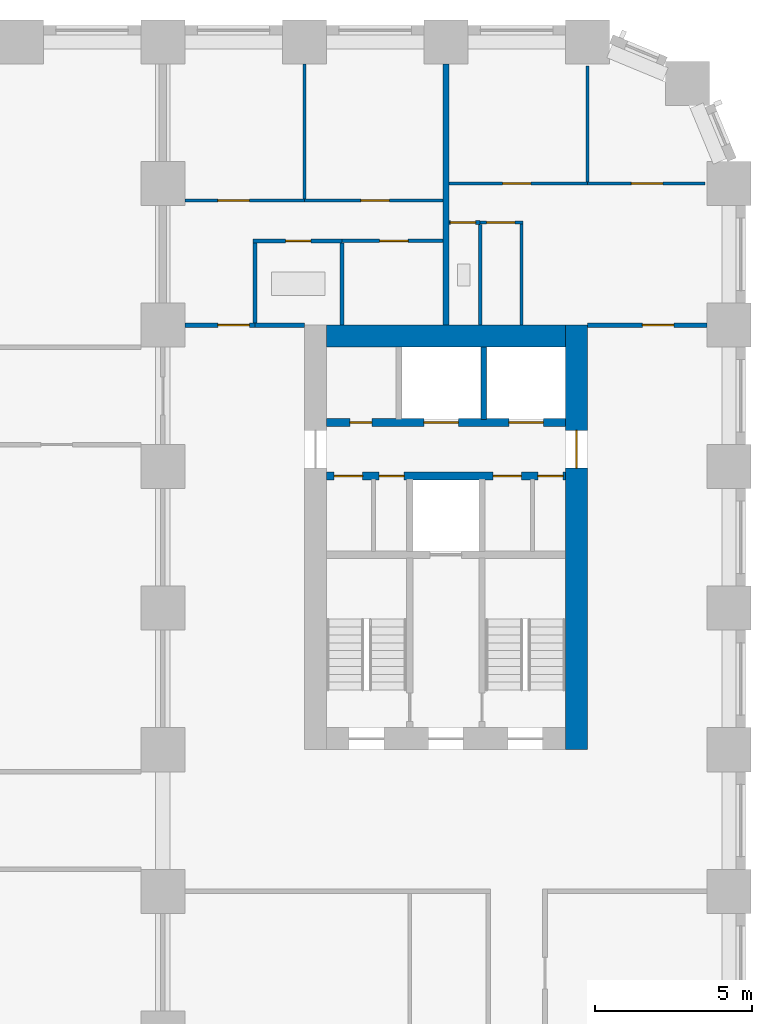
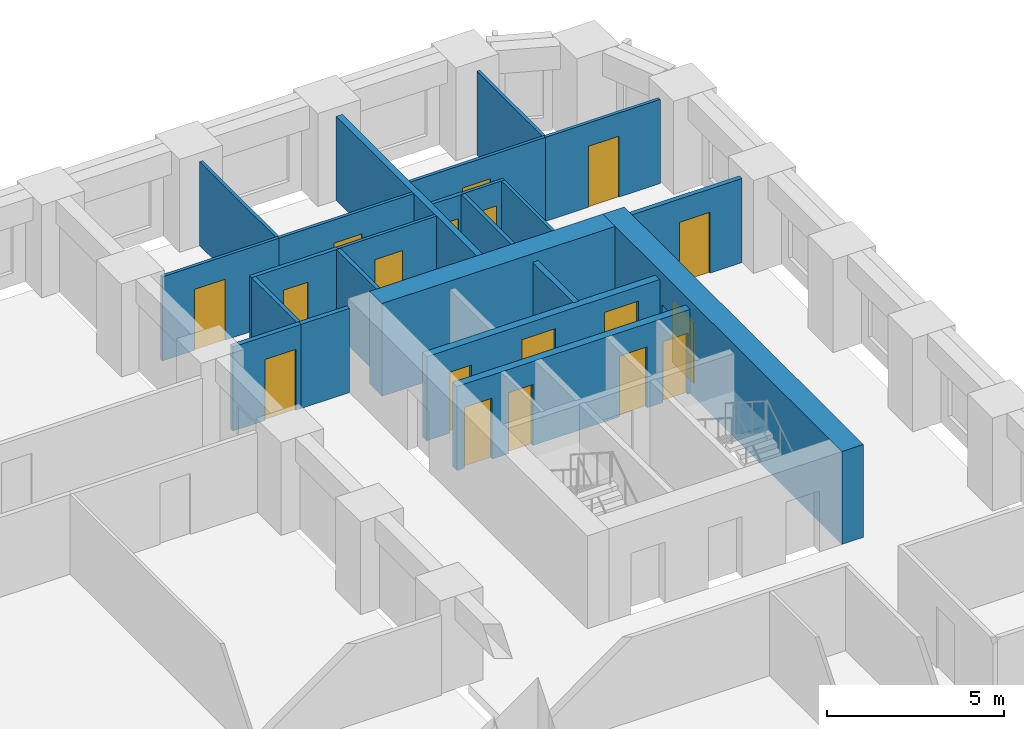
# One storey, part 8 of 12: 23 walls, 18 doors, 18 openings.
"""IFC4 building model written with IfcOpenShell, lengths in metres."""

from ifc_helpers import new_model, si_unit, direction, frame, frame_2d, origin, place, context, subcontext, project, spatial, rectangle, extrude, material, layer, layer_set, type_object, element, fill, save


model = new_model("IFC4")

# Units and contexts
model_context = context("Model", 3, precision=1e-05, world=origin(), true_north=direction((0.0, 1.0)))
body_context = subcontext(model_context, "Body", "Model", "MODEL_VIEW")
ifc_project = project(units=[si_unit("LENGTHUNIT", "METRE"), si_unit("AREAUNIT", "SQUARE_METRE"), si_unit("VOLUMEUNIT", "CUBIC_METRE"), si_unit("PLANEANGLEUNIT", "RADIAN"), si_unit("MASSUNIT", "GRAM", prefix="KILO")], contexts=[model_context])

# Site, building, storey
site_placement = place(None, origin())
site = spatial("IfcSite", under=ifc_project, at=site_placement, CompositionType="ELEMENT")
building_placement = place(site_placement, origin())
building = spatial("IfcBuilding", under=site, at=building_placement, Name="Girih Gate Residences", CompositionType="ELEMENT")
storey_placement = place(building_placement, frame((0.0, 0.0, 30.39990234375)))
storey = spatial("IfcBuildingStorey", under=building, at=storey_placement, Name="L06", CompositionType="ELEMENT", Elevation=30.39990234375)

# Wall, opening, door
ifc_material_1 = material(Name="Gypsum board on steel studs", Category="steel")
ifc_layer_1 = layer(ifc_material_1, 0.14990234375)
ifc_layer_set_1 = layer_set([ifc_layer_1], Name="Compartment wall 150 mm")
wall_type_1 = type_object("IfcWallType", Name="Compartment wall 150 mm", PredefinedType="PARTITIONING", material=ifc_layer_set_1)
wall_1_placement = place(storey_placement, frame((45.0, 40.5, 0.0), z_axis=(0.0, 0.0, 1.0), x_axis=(1.0, 0.0, 0.0)))
wall_1 = element("IfcWall", 1, at=wall_1_placement, inside=storey, type_object=wall_type_1, Name="L06 partition", PredefinedType="PARTITIONING", context=body_context, shape_type="SweptSolid", body=[
    extrude(rectangle(XDim=3.800048828125, YDim=0.14990234375, at=frame_2d((1.89990234375, 0.0))), origin(), (0.0, 0.0, 1.0), 2.900146484375),
])
opening_1_placement = place(wall_1_placement, frame((1.75, 0.0, 0.0)))
opening_1 = element("IfcOpeningElement", 2, at=opening_1_placement, cuts=wall_1, Name="Opening A06-029", PredefinedType="OPENING", context=body_context, shape_type="SweptSolid", body=[
    extrude(rectangle(XDim=1.0, YDim=2.10009765625, at=frame_2d((0.5, 1.050048828125))), frame((0.0, 0.0849609375, 0.0), z_axis=(0.0, -1.0, 0.0), x_axis=(1.0, 0.0, 0.0)), (0.0, 0.0, 1.0), 0.169921875),
])
ifc_material_2 = material(Name="Timber, fire-rated core", Category="wood")
door_type_1 = type_object("IfcDoorType", Name="Flat entrance door 1000x2100 FD30S", OperationType="NOTDEFINED", PredefinedType="DOOR", material=ifc_material_2)
door_1_placement = place(opening_1_placement, origin())
door_1 = element("IfcDoor", 3, at=door_1_placement, inside=storey, type_object=door_type_1, Name="Door A06-029", OperationType="SINGLE_SWING_RIGHT", OverallHeight=2.10009765625, OverallWidth=1.0, PredefinedType="DOOR", context=body_context, shape_type="SweptSolid", body=[
    extrude(rectangle(XDim=1.0, YDim=2.10009765625, at=frame_2d((0.5, 1.050048828125))), frame((0.0, 0.02490234375, 0.0), z_axis=(0.0, -1.0, 0.0), x_axis=(1.0, 0.0, 0.0)), (0.0, 0.0, 1.0), 0.050048828125),
])
fill(opening_1, door_1)

# Wall
wall_2_placement = place(storey_placement, frame((34.425048828125, 40.5, 0.0), z_axis=(0.0, 0.0, 1.0), x_axis=(1.0, 0.0, 0.0)))
element("IfcWall", 4, at=wall_2_placement, inside=storey, type_object=wall_type_1, Name="L06 partition", PredefinedType="PARTITIONING", context=body_context, shape_type="SweptSolid", body=[
    extrude(rectangle(XDim=1.574951171875, YDim=0.14990234375, at=frame_2d((0.78759765625, 0.0))), origin(), (0.0, 0.0, 1.0), 2.900146484375),
])

# Wall, opening, door
wall_3_placement = place(storey_placement, frame((32.199951171875, 40.5, 0.0), z_axis=(0.0, 0.0, 1.0), x_axis=(1.0, 0.0, 0.0)))
wall_3 = element("IfcWall", 5, at=wall_3_placement, inside=storey, type_object=wall_type_1, Name="L06 partition", PredefinedType="PARTITIONING", context=body_context, shape_type="SweptSolid", body=[
    extrude(rectangle(XDim=2.22509765625, YDim=0.14990234375, at=frame_2d((1.112548828125, 0.0))), origin(), (0.0, 0.0, 1.0), 2.900146484375),
])
opening_2_placement = place(wall_3_placement, frame((1.050048828125, 0.0, 0.0)))
opening_2 = element("IfcOpeningElement", 6, at=opening_2_placement, cuts=wall_3, Name="Opening A06-034", PredefinedType="OPENING", context=body_context, shape_type="SweptSolid", body=[
    extrude(rectangle(XDim=1.0, YDim=2.10009765625, at=frame_2d((0.5, 1.050048828125))), frame((0.0, 0.0849609375, 0.0), z_axis=(0.0, -1.0, 0.0), x_axis=(1.0, 0.0, 0.0)), (0.0, 0.0, 1.0), 0.169921875),
])
door_2_placement = place(opening_2_placement, origin())
door_2 = element("IfcDoor", 7, at=door_2_placement, inside=storey, type_object=door_type_1, Name="Door A06-034", OperationType="SINGLE_SWING_RIGHT", OverallHeight=2.10009765625, OverallWidth=1.0, PredefinedType="DOOR", context=body_context, shape_type="SweptSolid", body=[
    extrude(rectangle(XDim=1.0, YDim=2.10009765625, at=frame_2d((0.5, 1.050048828125))), frame((0.0, 0.02490234375, 0.0), z_axis=(0.0, -1.0, 0.0), x_axis=(1.0, 0.0, 0.0)), (0.0, 0.0, 1.0), 0.050048828125),
])
fill(opening_2, door_2)

# Wall
ifc_material_3 = material(Name="Concrete C60/75", Category="concrete")
ifc_layer_2 = layer(ifc_material_3, 0.699951171875)
ifc_layer_set_2 = layer_set([ifc_layer_2], Name="Core wall RC 700 Concrete C60/75")
wall_type_2 = type_object("IfcWallType", Name="Core wall RC 700 Concrete C60/75", PredefinedType="SOLIDWALL", material=ifc_layer_set_2)
wall_4_placement = place(storey_placement, frame((36.699951171875, 40.14990234375, 0.0), z_axis=(0.0, 0.0, 1.0), x_axis=(1.0, 0.0, 0.0)))
element("IfcWall", 8, at=wall_4_placement, inside=storey, type_object=wall_type_2, Name="Core wall E-N L06", PredefinedType="SOLIDWALL", context=body_context, shape_type="SweptSolid", body=[
    extrude(rectangle(XDim=7.60009765625, YDim=0.699951171875, at=frame_2d((3.800048828125, 0.0))), origin(), (0.0, 0.0, 1.0), 3.2001953125),
])

# Wall, opening, door
wall_5_placement = place(storey_placement, frame((44.64990234375, 27.0, 0.0), z_axis=(0.0, 0.0, 1.0), x_axis=(0.0, 1.0, 0.0)))
wall_5 = element("IfcWall", 9, at=wall_5_placement, inside=storey, type_object=wall_type_2, Name="Core wall E-E L06", PredefinedType="SOLIDWALL", context=body_context, shape_type="SweptSolid", body=[
    extrude(rectangle(XDim=13.5, YDim=0.699951171875, at=frame_2d((6.75, 0.0))), origin(), (0.0, 0.0, 1.0), 3.2001953125),
])
opening_3_placement = place(wall_5_placement, frame((8.949951171875, 0.0, 0.0)))
opening_3 = element("IfcOpeningElement", 10, at=opening_3_placement, cuts=wall_5, Name="Opening D-L06-E-015", PredefinedType="OPENING", context=body_context, shape_type="SweptSolid", body=[
    extrude(rectangle(XDim=1.199951171875, YDim=2.10009765625, at=frame_2d((0.60009765625, 1.050048828125))), frame((0.0, 0.35986328125, 0.0), z_axis=(0.0, -1.0, 0.0), x_axis=(1.0, 0.0, 0.0)), (0.0, 0.0, 1.0), 0.719970703125),
])
ifc_material_4 = material(Name="Painted steel, fire-resisting", Category="steel")
door_type_2 = type_object("IfcDoorType", Name="Fire door 1200x2100", OperationType="SINGLE_SWING_LEFT", PredefinedType="DOOR", material=ifc_material_4)
door_3_placement = place(opening_3_placement, origin())
door_3 = element("IfcDoor", 11, at=door_3_placement, inside=storey, type_object=door_type_2, Name="L06 E core door ll-e", OperationType="SINGLE_SWING_LEFT", OverallHeight=2.10009765625, OverallWidth=1.199951171875, PredefinedType="DOOR", context=body_context, shape_type="SweptSolid", body=[
    extrude(rectangle(XDim=1.199951171875, YDim=2.10009765625, at=frame_2d((0.60009765625, 1.050048828125))), frame((0.0, 0.02490234375, 0.0), z_axis=(0.0, -1.0, 0.0), x_axis=(1.0, 0.0, 0.0)), (0.0, 0.0, 1.0), 0.050048828125),
])
fill(opening_3, door_3)

# Wall, openings, doors
ifc_material_5 = material(Name="Concrete C40/50", Category="concrete")
ifc_layer_3 = layer(ifc_material_5, 0.25)
ifc_layer_set_3 = layer_set([ifc_layer_3], Name="Lift shaft wall 250")
wall_type_3 = type_object("IfcWallType", Name="Lift shaft wall 250", PredefinedType="SOLIDWALL", material=ifc_layer_set_3)
wall_6_placement = place(storey_placement, frame((36.699951171875, 35.699951171875, 0.0), z_axis=(0.0, 0.0, 1.0), x_axis=(1.0, 0.0, 0.0)))
wall_6 = element("IfcWall", 12, at=wall_6_placement, inside=storey, type_object=wall_type_3, Name="L06 E core wall H2", PredefinedType="SOLIDWALL", context=body_context, shape_type="SweptSolid", body=[
    extrude(rectangle(XDim=7.60009765625, YDim=0.25, at=frame_2d((3.800048828125, 0.0))), origin(), (0.0, 0.0, 1.0), 2.900146484375),
])
opening_4_placement = place(wall_6_placement, frame((6.72509765625, 0.0, 0.0)))
opening_4 = element("IfcOpeningElement", 13, at=opening_4_placement, cuts=wall_6, Name="Opening D-L06-E-007", PredefinedType="OPENING", context=body_context, shape_type="SweptSolid", body=[
    extrude(rectangle(XDim=0.800048828125, YDim=2.10009765625, at=frame_2d((0.39990234375, 1.050048828125))), frame((0.0, 0.135009765625, 0.0), z_axis=(0.0, -1.0, 0.0), x_axis=(1.0, 0.0, 0.0)), (0.0, 0.0, 1.0), 0.27001953125),
])
opening_5_placement = place(wall_6_placement, frame((5.300048828125, 0.0, 0.0)))
opening_5 = element("IfcOpeningElement", 14, at=opening_5_placement, cuts=wall_6, Name="Opening D-L06-E-008", PredefinedType="OPENING", context=body_context, shape_type="SweptSolid", body=[
    extrude(rectangle(XDim=0.89990234375, YDim=2.10009765625, at=frame_2d((0.449951171875, 1.050048828125))), frame((0.0, 0.135009765625, 0.0), z_axis=(0.0, -1.0, 0.0), x_axis=(1.0, 0.0, 0.0)), (0.0, 0.0, 1.0), 0.27001953125),
])
opening_6_placement = place(wall_6_placement, frame((1.675048828125, 0.0, 0.0)))
opening_6 = element("IfcOpeningElement", 15, at=opening_6_placement, cuts=wall_6, Name="Opening D-L06-E-009", PredefinedType="OPENING", context=body_context, shape_type="SweptSolid", body=[
    extrude(rectangle(XDim=0.800048828125, YDim=2.10009765625, at=frame_2d((0.39990234375, 1.050048828125))), frame((0.0, 0.135009765625, 0.0), z_axis=(0.0, -1.0, 0.0), x_axis=(1.0, 0.0, 0.0)), (0.0, 0.0, 1.0), 0.27001953125),
])
opening_7_placement = place(wall_6_placement, frame((0.25, 0.0, 0.0)))
opening_7 = element("IfcOpeningElement", 16, at=opening_7_placement, cuts=wall_6, Name="Opening D-L06-E-010", PredefinedType="OPENING", context=body_context, shape_type="SweptSolid", body=[
    extrude(rectangle(XDim=0.89990234375, YDim=2.10009765625, at=frame_2d((0.449951171875, 1.050048828125))), frame((0.0, 0.135009765625, 0.0), z_axis=(0.0, -1.0, 0.0), x_axis=(1.0, 0.0, 0.0)), (0.0, 0.0, 1.0), 0.27001953125),
])
door_type_3 = type_object("IfcDoorType", Name="Fire door 800x2100", OperationType="SINGLE_SWING_LEFT", PredefinedType="DOOR", material=ifc_material_4)
door_4_placement = place(opening_4_placement, origin())
door_4 = element("IfcDoor", 17, at=door_4_placement, inside=storey, type_object=door_type_3, Name="L06 E housekeeping store door", OperationType="SINGLE_SWING_LEFT", OverallHeight=2.10009765625, OverallWidth=0.800048828125, PredefinedType="DOOR", context=body_context, shape_type="SweptSolid", body=[
    extrude(rectangle(XDim=0.800048828125, YDim=2.10009765625, at=frame_2d((0.39990234375, 1.050048828125))), frame((0.0, 0.02490234375, 0.0), z_axis=(0.0, -1.0, 0.0), x_axis=(1.0, 0.0, 0.0)), (0.0, 0.0, 1.0), 0.050048828125),
])
fill(opening_4, door_4)
door_5_placement = place(opening_6_placement, origin())
door_5 = element("IfcDoor", 18, at=door_5_placement, inside=storey, type_object=door_type_3, Name="L06 E it room door", OperationType="SINGLE_SWING_LEFT", OverallHeight=2.10009765625, OverallWidth=0.800048828125, PredefinedType="DOOR", context=body_context, shape_type="SweptSolid", body=[
    extrude(rectangle(XDim=0.800048828125, YDim=2.10009765625, at=frame_2d((0.39990234375, 1.050048828125))), frame((0.0, 0.02490234375, 0.0), z_axis=(0.0, -1.0, 0.0), x_axis=(1.0, 0.0, 0.0)), (0.0, 0.0, 1.0), 0.050048828125),
])
fill(opening_6, door_5)
door_type_4 = type_object("IfcDoorType", Name="Fire door 900x2100", OperationType="SINGLE_SWING_LEFT", PredefinedType="DOOR", material=ifc_material_4)
door_6_placement = place(opening_5_placement, origin())
door_6 = element("IfcDoor", 19, at=door_6_placement, inside=storey, type_object=door_type_4, Name="L06 E refuse store door", OperationType="SINGLE_SWING_LEFT", OverallHeight=2.10009765625, OverallWidth=0.89990234375, PredefinedType="DOOR", context=body_context, shape_type="SweptSolid", body=[
    extrude(rectangle(XDim=0.89990234375, YDim=2.10009765625, at=frame_2d((0.449951171875, 1.050048828125))), frame((0.0, 0.02490234375, 0.0), z_axis=(0.0, -1.0, 0.0), x_axis=(1.0, 0.0, 0.0)), (0.0, 0.0, 1.0), 0.050048828125),
])
fill(opening_5, door_6)
door_7_placement = place(opening_7_placement, origin())
door_7 = element("IfcDoor", 20, at=door_7_placement, inside=storey, type_object=door_type_4, Name="L06 E maintenance store door", OperationType="SINGLE_SWING_LEFT", OverallHeight=2.10009765625, OverallWidth=0.89990234375, PredefinedType="DOOR", context=body_context, shape_type="SweptSolid", body=[
    extrude(rectangle(XDim=0.89990234375, YDim=2.10009765625, at=frame_2d((0.449951171875, 1.050048828125))), frame((0.0, 0.02490234375, 0.0), z_axis=(0.0, -1.0, 0.0), x_axis=(1.0, 0.0, 0.0)), (0.0, 0.0, 1.0), 0.050048828125),
])
fill(opening_7, door_7)

wall_7_placement = place(storey_placement, frame((36.699951171875, 37.39990234375, 0.0), z_axis=(0.0, 0.0, 1.0), x_axis=(1.0, 0.0, 0.0)))
wall_7 = element("IfcWall", 21, at=wall_7_placement, inside=storey, type_object=wall_type_3, Name="L06 E core wall H3", PredefinedType="SOLIDWALL", context=body_context, shape_type="SweptSolid", body=[
    extrude(rectangle(XDim=7.60009765625, YDim=0.25, at=frame_2d((3.800048828125, 0.0))), origin(), (0.0, 0.0, 1.0), 2.900146484375),
])
opening_8_placement = place(wall_7_placement, frame((5.800048828125, 0.0, 0.0)))
opening_8 = element("IfcOpeningElement", 22, at=opening_8_placement, cuts=wall_7, Name="Opening D-L06-E-003", PredefinedType="OPENING", context=body_context, shape_type="SweptSolid", body=[
    extrude(rectangle(XDim=1.10009765625, YDim=2.39990234375, at=frame_2d((0.550048828125, 1.199951171875))), frame((0.0, 0.135009765625, 0.0), z_axis=(0.0, -1.0, 0.0), x_axis=(1.0, 0.0, 0.0)), (0.0, 0.0, 1.0), 0.27001953125),
])
opening_9_placement = place(wall_7_placement, frame((3.10009765625, 0.0, 0.0)))
opening_9 = element("IfcOpeningElement", 23, at=opening_9_placement, cuts=wall_7, Name="Opening D-L06-E-004", PredefinedType="OPENING", context=body_context, shape_type="SweptSolid", body=[
    extrude(rectangle(XDim=1.10009765625, YDim=2.39990234375, at=frame_2d((0.550048828125, 1.199951171875))), frame((0.0, 0.135009765625, 0.0), z_axis=(0.0, -1.0, 0.0), x_axis=(1.0, 0.0, 0.0)), (0.0, 0.0, 1.0), 0.27001953125),
])
opening_10_placement = place(wall_7_placement, frame((0.75, 0.0, 0.0)))
opening_10 = element("IfcOpeningElement", 24, at=opening_10_placement, cuts=wall_7, Name="Opening D-L06-E-006", PredefinedType="OPENING", context=body_context, shape_type="SweptSolid", body=[
    extrude(rectangle(XDim=0.699951171875, YDim=2.10009765625, at=frame_2d((0.35009765625, 1.050048828125))), frame((0.0, 0.135009765625, 0.0), z_axis=(0.0, -1.0, 0.0), x_axis=(1.0, 0.0, 0.0)), (0.0, 0.0, 1.0), 0.27001953125),
])
ifc_material_6 = material(Name="Stainless steel", Category="steel")
door_type_5 = type_object("IfcDoorType", Name="Lift landing door 1100x2400", OperationType="SLIDING_TO_LEFT", PredefinedType="DOOR", material=ifc_material_6)
door_8_placement = place(opening_8_placement, origin())
door_8 = element("IfcDoor", 25, at=door_8_placement, inside=storey, type_object=door_type_5, Name="L06 lift LR-E1 landing door", OperationType="SLIDING_TO_LEFT", OverallHeight=2.39990234375, OverallWidth=1.10009765625, PredefinedType="DOOR", context=body_context, shape_type="SweptSolid", body=[
    extrude(rectangle(XDim=1.10009765625, YDim=2.39990234375, at=frame_2d((0.550048828125, 1.199951171875))), frame((0.0, 0.02490234375, 0.0), z_axis=(0.0, -1.0, 0.0), x_axis=(1.0, 0.0, 0.0)), (0.0, 0.0, 1.0), 0.050048828125),
])
fill(opening_8, door_8)
door_9_placement = place(opening_9_placement, origin())
door_9 = element("IfcDoor", 26, at=door_9_placement, inside=storey, type_object=door_type_5, Name="L06 lift LR-E2 landing door", OperationType="SLIDING_TO_LEFT", OverallHeight=2.39990234375, OverallWidth=1.10009765625, PredefinedType="DOOR", context=body_context, shape_type="SweptSolid", body=[
    extrude(rectangle(XDim=1.10009765625, YDim=2.39990234375, at=frame_2d((0.550048828125, 1.199951171875))), frame((0.0, 0.02490234375, 0.0), z_axis=(0.0, -1.0, 0.0), x_axis=(1.0, 0.0, 0.0)), (0.0, 0.0, 1.0), 0.050048828125),
])
fill(opening_9, door_9)
door_type_6 = type_object("IfcDoorType", Name="Riser access door 700x2100", OperationType="SINGLE_SWING_LEFT", PredefinedType="DOOR", material=ifc_material_4)
door_10_placement = place(opening_10_placement, origin())
door_10 = element("IfcDoor", 27, at=door_10_placement, inside=storey, type_object=door_type_6, Name="L06 E riser room door", OperationType="SINGLE_SWING_LEFT", OverallHeight=2.10009765625, OverallWidth=0.699951171875, PredefinedType="DOOR", context=body_context, shape_type="SweptSolid", body=[
    extrude(rectangle(XDim=0.699951171875, YDim=2.10009765625, at=frame_2d((0.35009765625, 1.050048828125))), frame((0.0, 0.02490234375, 0.0), z_axis=(0.0, -1.0, 0.0), x_axis=(1.0, 0.0, 0.0)), (0.0, 0.0, 1.0), 0.050048828125),
])
fill(opening_10, door_10)

# Wall, opening, door
ifc_layer_4 = layer(ifc_material_1, 0.10009765625)
ifc_layer_set_4 = layer_set([ifc_layer_4], Name="Partition 100 mm")
wall_type_4 = type_object("IfcWallType", Name="Partition 100 mm", PredefinedType="PARTITIONING", material=ifc_layer_set_4)
wall_8_placement = place(storey_placement, frame((40.60009765625, 45.0, 0.0), z_axis=(0.0, 0.0, 1.0), x_axis=(1.0, 0.0, 0.0)))
wall_8 = element("IfcWall", 28, at=wall_8_placement, inside=storey, type_object=wall_type_4, Name="L06 partition", PredefinedType="PARTITIONING", context=body_context, shape_type="SweptSolid", body=[
    extrude(rectangle(XDim=4.39990234375, YDim=0.10009765625, at=frame_2d((2.199951171875, 0.0))), origin(), (0.0, 0.0, 1.0), 2.900146484375),
])
opening_11_placement = place(wall_8_placement, frame((1.699951171875, 0.0, 0.0)))
opening_11 = element("IfcOpeningElement", 29, at=opening_11_placement, cuts=wall_8, Name="Opening A06-026", PredefinedType="OPENING", context=body_context, shape_type="SweptSolid", body=[
    extrude(rectangle(XDim=0.89990234375, YDim=2.10009765625, at=frame_2d((0.449951171875, 1.050048828125))), frame((0.0, 0.06005859375, 0.0), z_axis=(0.0, -1.0, 0.0), x_axis=(1.0, 0.0, 0.0)), (0.0, 0.0, 1.0), 0.1201171875),
])
ifc_material_7 = material(Name="Timber", Category="wood")
door_type_7 = type_object("IfcDoorType", Name="Bedroom door 900x2100", OperationType="NOTDEFINED", PredefinedType="DOOR", material=ifc_material_7)
door_11_placement = place(opening_11_placement, origin())
door_11 = element("IfcDoor", 30, at=door_11_placement, inside=storey, type_object=door_type_7, Name="Door A06-026", OperationType="SINGLE_SWING_LEFT", OverallHeight=2.10009765625, OverallWidth=0.89990234375, PredefinedType="DOOR", context=body_context, shape_type="SweptSolid", body=[
    extrude(rectangle(XDim=0.89990234375, YDim=2.10009765625, at=frame_2d((0.449951171875, 1.050048828125))), frame((0.0, 0.02490234375, 0.0), z_axis=(0.0, -1.0, 0.0), x_axis=(1.0, 0.0, 0.0)), (0.0, 0.0, 1.0), 0.050048828125),
])
fill(opening_11, door_11)

# Walls
wall_9_placement = place(storey_placement, frame((45.0, 45.050048828125, 0.0), z_axis=(0.0, 0.0, 1.0), x_axis=(0.0, 1.0, 0.0)))
element("IfcWall", 31, at=wall_9_placement, inside=storey, type_object=wall_type_4, Name="L06 partition", PredefinedType="PARTITIONING", context=body_context, shape_type="SweptSolid", body=[
    extrude(rectangle(XDim=3.6923828125, YDim=0.10009765625, at=frame_2d((1.84619140625, 0.0))), origin(), (0.0, 0.0, 1.0), 2.900146484375),
])
wall_10_placement = place(storey_placement, frame((42.89990234375, 40.5, 0.0), z_axis=(0.0, 0.0, 1.0), x_axis=(0.0, 1.0, 0.0)))
element("IfcWall", 32, at=wall_10_placement, inside=storey, type_object=wall_type_4, Name="L06 partition", PredefinedType="PARTITIONING", context=body_context, shape_type="SweptSolid", body=[
    extrude(rectangle(XDim=3.2099609375, YDim=0.10009765625, at=frame_2d((1.60498046875, 0.0))), origin(), (0.0, 0.0, 1.0), 2.900146484375),
])

# Wall, opening, door
wall_11_placement = place(storey_placement, frame((42.949951171875, 43.760009765625, 0.0), z_axis=(0.0, 0.0, 1.0), x_axis=(-1.0, 0.0, 0.0)))
wall_11 = element("IfcWall", 33, at=wall_11_placement, inside=storey, type_object=wall_type_4, Name="L06 partition", PredefinedType="PARTITIONING", context=body_context, shape_type="SweptSolid", body=[
    extrude(rectangle(XDim=1.359130859375, YDim=0.10009765625, at=frame_2d((0.6796875, 0.0))), origin(), (0.0, 0.0, 1.0), 2.900146484375),
])
opening_12_placement = place(wall_11_placement, frame((0.25439453125, 0.0, 0.0)))
opening_12 = element("IfcOpeningElement", 34, at=opening_12_placement, cuts=wall_11, Name="Opening A06-027", PredefinedType="OPENING", context=body_context, shape_type="SweptSolid", body=[
    extrude(rectangle(XDim=0.89990234375, YDim=2.10009765625, at=frame_2d((0.449951171875, 1.050048828125))), frame((0.0, 0.06005859375, 0.0), z_axis=(0.0, -1.0, 0.0), x_axis=(1.0, 0.0, 0.0)), (0.0, 0.0, 1.0), 0.1201171875),
])
door_type_8 = type_object("IfcDoorType", Name="Kitchen door 900x2100", OperationType="NOTDEFINED", PredefinedType="DOOR", material=ifc_material_7)
door_12_placement = place(opening_12_placement, origin())
door_12 = element("IfcDoor", 35, at=door_12_placement, inside=storey, type_object=door_type_8, Name="Door A06-027", OperationType="SINGLE_SWING_RIGHT", OverallHeight=2.10009765625, OverallWidth=0.89990234375, PredefinedType="DOOR", context=body_context, shape_type="SweptSolid", body=[
    extrude(rectangle(XDim=0.89990234375, YDim=2.10009765625, at=frame_2d((0.449951171875, 1.050048828125))), frame((0.0, 0.02490234375, 0.0), z_axis=(0.0, -1.0, 0.0), x_axis=(1.0, 0.0, 0.0)), (0.0, 0.0, 1.0), 0.050048828125),
])
fill(opening_12, door_12)

wall_12_placement = place(storey_placement, frame((45.0, 45.0, 0.0), z_axis=(0.0, 0.0, 1.0), x_axis=(1.0, 0.0, 0.0)))
wall_12 = element("IfcWall", 36, at=wall_12_placement, inside=storey, type_object=wall_type_4, Name="L06 partition", PredefinedType="PARTITIONING", context=body_context, shape_type="SweptSolid", body=[
    extrude(rectangle(XDim=3.742431640625, YDim=0.10009765625, at=frame_2d((1.87109375, 0.0))), origin(), (0.0, 0.0, 1.0), 2.900146484375),
])
opening_13_placement = place(wall_12_placement, frame((1.39990234375, 0.0, 0.0)))
opening_13 = element("IfcOpeningElement", 37, at=opening_13_placement, cuts=wall_12, Name="Opening A06-028", PredefinedType="OPENING", context=body_context, shape_type="SweptSolid", body=[
    extrude(rectangle(XDim=1.0, YDim=2.10009765625, at=frame_2d((0.5, 1.050048828125))), frame((0.0, 0.06005859375, 0.0), z_axis=(0.0, -1.0, 0.0), x_axis=(1.0, 0.0, 0.0)), (0.0, 0.0, 1.0), 0.1201171875),
])
door_type_9 = type_object("IfcDoorType", Name="Living room door 1000x2100", OperationType="NOTDEFINED", PredefinedType="DOOR", material=ifc_material_7)
door_13_placement = place(opening_13_placement, origin())
door_13 = element("IfcDoor", 38, at=door_13_placement, inside=storey, type_object=door_type_9, Name="Door A06-028", OperationType="SINGLE_SWING_RIGHT", OverallHeight=2.10009765625, OverallWidth=1.0, PredefinedType="DOOR", context=body_context, shape_type="SweptSolid", body=[
    extrude(rectangle(XDim=1.0, YDim=2.10009765625, at=frame_2d((0.5, 1.050048828125))), frame((0.0, 0.02490234375, 0.0), z_axis=(0.0, -1.0, 0.0), x_axis=(1.0, 0.0, 0.0)), (0.0, 0.0, 1.0), 0.050048828125),
])
fill(opening_13, door_13)

wall_13_placement = place(storey_placement, frame((36.0, 44.4599609375, 0.0), z_axis=(0.0, 0.0, 1.0), x_axis=(1.0, 0.0, 0.0)))
wall_13 = element("IfcWall", 39, at=wall_13_placement, inside=storey, type_object=wall_type_4, Name="L06 partition", PredefinedType="PARTITIONING", context=body_context, shape_type="SweptSolid", body=[
    extrude(rectangle(XDim=4.39990234375, YDim=0.10009765625, at=frame_2d((2.199951171875, 0.0))), origin(), (0.0, 0.0, 1.0), 2.900146484375),
])
opening_14_placement = place(wall_13_placement, frame((1.800048828125, 0.0, 0.0)))
opening_14 = element("IfcOpeningElement", 40, at=opening_14_placement, cuts=wall_13, Name="Opening A06-031", PredefinedType="OPENING", context=body_context, shape_type="SweptSolid", body=[
    extrude(rectangle(XDim=0.89990234375, YDim=2.10009765625, at=frame_2d((0.449951171875, 1.050048828125))), frame((0.0, 0.06005859375, 0.0), z_axis=(0.0, -1.0, 0.0), x_axis=(1.0, 0.0, 0.0)), (0.0, 0.0, 1.0), 0.1201171875),
])
door_14_placement = place(opening_14_placement, origin())
door_14 = element("IfcDoor", 41, at=door_14_placement, inside=storey, type_object=door_type_7, Name="Door A06-031", OperationType="SINGLE_SWING_RIGHT", OverallHeight=2.10009765625, OverallWidth=0.89990234375, PredefinedType="DOOR", context=body_context, shape_type="SweptSolid", body=[
    extrude(rectangle(XDim=0.89990234375, YDim=2.10009765625, at=frame_2d((0.449951171875, 1.050048828125))), frame((0.0, 0.02490234375, 0.0), z_axis=(0.0, -1.0, 0.0), x_axis=(1.0, 0.0, 0.0)), (0.0, 0.0, 1.0), 0.050048828125),
])
fill(opening_14, door_14)

# Wall
wall_14_placement = place(storey_placement, frame((36.0, 44.510009765625, 0.0), z_axis=(0.0, 0.0, 1.0), x_axis=(0.0, 1.0, 0.0)))
element("IfcWall", 42, at=wall_14_placement, inside=storey, type_object=wall_type_4, Name="L06 partition", PredefinedType="PARTITIONING", context=body_context, shape_type="SweptSolid", body=[
    extrude(rectangle(XDim=4.2900390625, YDim=0.10009765625, at=frame_2d((2.14501953125, 0.0))), origin(), (0.0, 0.0, 1.0), 2.900146484375),
])

# Wall, opening, door
wall_15_placement = place(storey_placement, frame((40.39990234375, 43.179931640625, 0.0), z_axis=(0.0, 0.0, 1.0), x_axis=(-1.0, 0.0, 0.0)))
wall_15 = element("IfcWall", 43, at=wall_15_placement, inside=storey, type_object=wall_type_4, Name="L06 partition", PredefinedType="PARTITIONING", context=body_context, shape_type="SweptSolid", body=[
    extrude(rectangle(XDim=3.20947265625, YDim=0.10009765625, at=frame_2d((1.604736328125, 0.0))), origin(), (0.0, 0.0, 1.0), 2.900146484375),
])
opening_15_placement = place(wall_15_placement, frame((1.104736328125, 0.0, 0.0)))
opening_15 = element("IfcOpeningElement", 44, at=opening_15_placement, cuts=wall_15, Name="Opening A06-032", PredefinedType="OPENING", context=body_context, shape_type="SweptSolid", body=[
    extrude(rectangle(XDim=0.89990234375, YDim=2.10009765625, at=frame_2d((0.449951171875, 1.050048828125))), frame((0.0, 0.06005859375, 0.0), z_axis=(0.0, -1.0, 0.0), x_axis=(1.0, 0.0, 0.0)), (0.0, 0.0, 1.0), 0.1201171875),
])
door_15_placement = place(opening_15_placement, origin())
door_15 = element("IfcDoor", 45, at=door_15_placement, inside=storey, type_object=door_type_8, Name="Door A06-032", OperationType="SINGLE_SWING_LEFT", OverallHeight=2.10009765625, OverallWidth=0.89990234375, PredefinedType="DOOR", context=body_context, shape_type="SweptSolid", body=[
    extrude(rectangle(XDim=0.89990234375, YDim=2.10009765625, at=frame_2d((0.449951171875, 1.050048828125))), frame((0.0, 0.02490234375, 0.0), z_axis=(0.0, -1.0, 0.0), x_axis=(1.0, 0.0, 0.0)), (0.0, 0.0, 1.0), 0.050048828125),
])
fill(opening_15, door_15)

wall_16_placement = place(storey_placement, frame((32.199951171875, 44.4599609375, 0.0), z_axis=(0.0, 0.0, 1.0), x_axis=(1.0, 0.0, 0.0)))
wall_16 = element("IfcWall", 46, at=wall_16_placement, inside=storey, type_object=wall_type_4, Name="L06 partition", PredefinedType="PARTITIONING", context=body_context, shape_type="SweptSolid", body=[
    extrude(rectangle(XDim=3.800048828125, YDim=0.10009765625, at=frame_2d((1.89990234375, 0.0))), origin(), (0.0, 0.0, 1.0), 2.900146484375),
])
opening_16_placement = place(wall_16_placement, frame((1.050048828125, 0.0, 0.0)))
opening_16 = element("IfcOpeningElement", 47, at=opening_16_placement, cuts=wall_16, Name="Opening A06-033", PredefinedType="OPENING", context=body_context, shape_type="SweptSolid", body=[
    extrude(rectangle(XDim=1.0, YDim=2.10009765625, at=frame_2d((0.5, 1.050048828125))), frame((0.0, 0.06005859375, 0.0), z_axis=(0.0, -1.0, 0.0), x_axis=(1.0, 0.0, 0.0)), (0.0, 0.0, 1.0), 0.1201171875),
])
door_16_placement = place(opening_16_placement, origin())
door_16 = element("IfcDoor", 48, at=door_16_placement, inside=storey, type_object=door_type_9, Name="Door A06-033", OperationType="SINGLE_SWING_LEFT", OverallHeight=2.10009765625, OverallWidth=1.0, PredefinedType="DOOR", context=body_context, shape_type="SweptSolid", body=[
    extrude(rectangle(XDim=1.0, YDim=2.10009765625, at=frame_2d((0.5, 1.050048828125))), frame((0.0, 0.02490234375, 0.0), z_axis=(0.0, -1.0, 0.0), x_axis=(1.0, 0.0, 0.0)), (0.0, 0.0, 1.0), 0.050048828125),
])
fill(opening_16, door_16)

# Walls
ifc_layer_5 = layer(ifc_material_1, 0.199951171875)
ifc_layer_set_5 = layer_set([ifc_layer_5], Name="Party wall 200 mm")
wall_type_5 = type_object("IfcWallType", Name="Party wall 200 mm", PredefinedType="PARTITIONING", material=ifc_layer_set_5)
wall_17_placement = place(storey_placement, frame((40.5, 40.5, 0.0), z_axis=(0.0, 0.0, 1.0), x_axis=(0.0, 1.0, 0.0)))
element("IfcWall", 49, at=wall_17_placement, inside=storey, type_object=wall_type_5, Name="L06 partition", PredefinedType="PARTITIONING", context=body_context, shape_type="SweptSolid", body=[
    extrude(rectangle(XDim=8.300048828125, YDim=0.199951171875, at=frame_2d((4.14990234375, 0.0))), origin(), (0.0, 0.0, 1.0), 2.900146484375),
])
ifc_layer_6 = layer(ifc_material_5, 0.175048828125)
ifc_layer_set_6 = layer_set([ifc_layer_6], Name="Riser shaft wall 175")
wall_type_6 = type_object("IfcWallType", Name="Riser shaft wall 175", PredefinedType="SOLIDWALL", material=ifc_layer_set_6)
wall_18_placement = place(storey_placement, frame((41.699951171875, 37.5, 0.0), z_axis=(0.0, 0.0, 1.0), x_axis=(0.0, 1.0, 0.0)))
element("IfcWall", 50, at=wall_18_placement, inside=storey, type_object=wall_type_6, Name="L06 E core wall V1c", PredefinedType="SOLIDWALL", context=body_context, shape_type="SweptSolid", body=[
    extrude(rectangle(XDim=2.300048828125, YDim=0.175048828125, at=frame_2d((1.14990234375, 0.0))), origin(), (0.0, 0.0, 1.0), 2.900146484375),
])

# Wall, opening, door
ifc_layer_7 = layer(ifc_material_1, 0.125)
ifc_layer_set_7 = layer_set([ifc_layer_7], Name="Wet room wall 125 mm")
wall_type_7 = type_object("IfcWallType", Name="Wet room wall 125 mm", PredefinedType="PARTITIONING", material=ifc_layer_set_7)
wall_19_placement = place(storey_placement, frame((41.5908203125, 43.760009765625, 0.0), z_axis=(0.0, 0.0, 1.0), x_axis=(-1.0, 0.0, 0.0)))
wall_19 = element("IfcWall", 51, at=wall_19_placement, inside=storey, type_object=wall_type_7, Name="L06 partition", PredefinedType="PARTITIONING", context=body_context, shape_type="SweptSolid", body=[
    extrude(rectangle(XDim=0.99072265625, YDim=0.125, at=frame_2d((0.495361328125, 0.0))), origin(), (0.0, 0.0, 1.0), 2.900146484375),
])
opening_17_placement = place(wall_19_placement, frame((0.1455078125, 0.0, 0.0)))
opening_17 = element("IfcOpeningElement", 52, at=opening_17_placement, cuts=wall_19, Name="Opening A06-025", PredefinedType="OPENING", context=body_context, shape_type="SweptSolid", body=[
    extrude(rectangle(XDim=0.800048828125, YDim=2.10009765625, at=frame_2d((0.39990234375, 1.050048828125))), frame((0.0, 0.072509765625, 0.0), z_axis=(0.0, -1.0, 0.0), x_axis=(1.0, 0.0, 0.0)), (0.0, 0.0, 1.0), 0.14501953125),
])
door_type_10 = type_object("IfcDoorType", Name="Bathroom door 800x2100", OperationType="NOTDEFINED", PredefinedType="DOOR", material=ifc_material_7)
door_17_placement = place(opening_17_placement, origin())
door_17 = element("IfcDoor", 53, at=door_17_placement, inside=storey, type_object=door_type_10, Name="Door A06-025", OperationType="SINGLE_SWING_RIGHT", OverallHeight=2.10009765625, OverallWidth=0.800048828125, PredefinedType="DOOR", context=body_context, shape_type="SweptSolid", body=[
    extrude(rectangle(XDim=0.800048828125, YDim=2.10009765625, at=frame_2d((0.39990234375, 1.050048828125))), frame((0.0, 0.02490234375, 0.0), z_axis=(0.0, -1.0, 0.0), x_axis=(1.0, 0.0, 0.0)), (0.0, 0.0, 1.0), 0.050048828125),
])
fill(opening_17, door_17)

# Walls
wall_20_placement = place(storey_placement, frame((41.591064453125, 40.5, 0.0), z_axis=(0.0, 0.0, 1.0), x_axis=(0.0, 1.0, 0.0)))
element("IfcWall", 54, at=wall_20_placement, inside=storey, type_object=wall_type_7, Name="L06 partition", PredefinedType="PARTITIONING", context=body_context, shape_type="SweptSolid", body=[
    extrude(rectangle(XDim=3.197509765625, YDim=0.125, at=frame_2d((1.5986328125, 0.0))), origin(), (0.0, 0.0, 1.0), 2.900146484375),
])
wall_21_placement = place(storey_placement, frame((34.425048828125, 40.574951171875, 0.0), z_axis=(0.0, 0.0, 1.0), x_axis=(0.0, 1.0, 0.0)))
element("IfcWall", 55, at=wall_21_placement, inside=storey, type_object=wall_type_7, Name="L06 partition", PredefinedType="PARTITIONING", context=body_context, shape_type="SweptSolid", body=[
    extrude(rectangle(XDim=2.54248046875, YDim=0.125, at=frame_2d((1.271240234375, 0.0))), origin(), (0.0, 0.0, 1.0), 2.900146484375),
])

# Wall, opening, door
wall_22_placement = place(storey_placement, frame((37.1904296875, 43.179931640625, 0.0), z_axis=(0.0, 0.0, 1.0), x_axis=(-1.0, 0.0, 0.0)))
wall_22 = element("IfcWall", 56, at=wall_22_placement, inside=storey, type_object=wall_type_7, Name="L06 partition", PredefinedType="PARTITIONING", context=body_context, shape_type="SweptSolid", body=[
    extrude(rectangle(XDim=2.827880859375, YDim=0.125, at=frame_2d((1.4140625, 0.0))), origin(), (0.0, 0.0, 1.0), 2.900146484375),
])
opening_18_placement = place(wall_22_placement, frame((0.98291015625, 0.0, 0.0)))
opening_18 = element("IfcOpeningElement", 57, at=opening_18_placement, cuts=wall_22, Name="Opening A06-030", PredefinedType="OPENING", context=body_context, shape_type="SweptSolid", body=[
    extrude(rectangle(XDim=0.800048828125, YDim=2.10009765625, at=frame_2d((0.39990234375, 1.050048828125))), frame((0.0, 0.072509765625, 0.0), z_axis=(0.0, -1.0, 0.0), x_axis=(1.0, 0.0, 0.0)), (0.0, 0.0, 1.0), 0.14501953125),
])
door_18_placement = place(opening_18_placement, origin())
door_18 = element("IfcDoor", 58, at=door_18_placement, inside=storey, type_object=door_type_10, Name="Door A06-030", OperationType="SINGLE_SWING_LEFT", OverallHeight=2.10009765625, OverallWidth=0.800048828125, PredefinedType="DOOR", context=body_context, shape_type="SweptSolid", body=[
    extrude(rectangle(XDim=0.800048828125, YDim=2.10009765625, at=frame_2d((0.39990234375, 1.050048828125))), frame((0.0, 0.02490234375, 0.0), z_axis=(0.0, -1.0, 0.0), x_axis=(1.0, 0.0, 0.0)), (0.0, 0.0, 1.0), 0.050048828125),
])
fill(opening_18, door_18)

# Wall
wall_23_placement = place(storey_placement, frame((37.19091796875, 40.5, 0.0), z_axis=(0.0, 0.0, 1.0), x_axis=(0.0, 1.0, 0.0)))
element("IfcWall", 59, at=wall_23_placement, inside=storey, type_object=wall_type_7, Name="L06 partition", PredefinedType="PARTITIONING", context=body_context, shape_type="SweptSolid", body=[
    extrude(rectangle(XDim=2.617431640625, YDim=0.125, at=frame_2d((1.30859375, 0.0))), origin(), (0.0, 0.0, 1.0), 2.900146484375),
])

save(model, "model.ifc")
